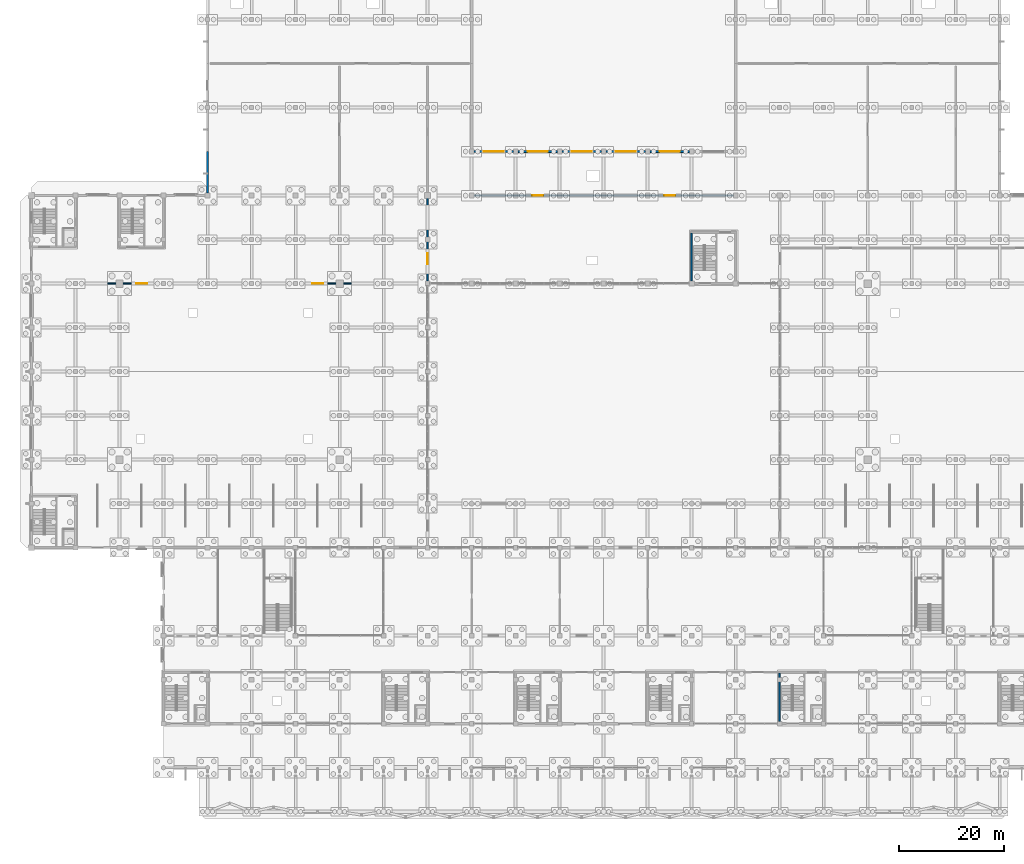
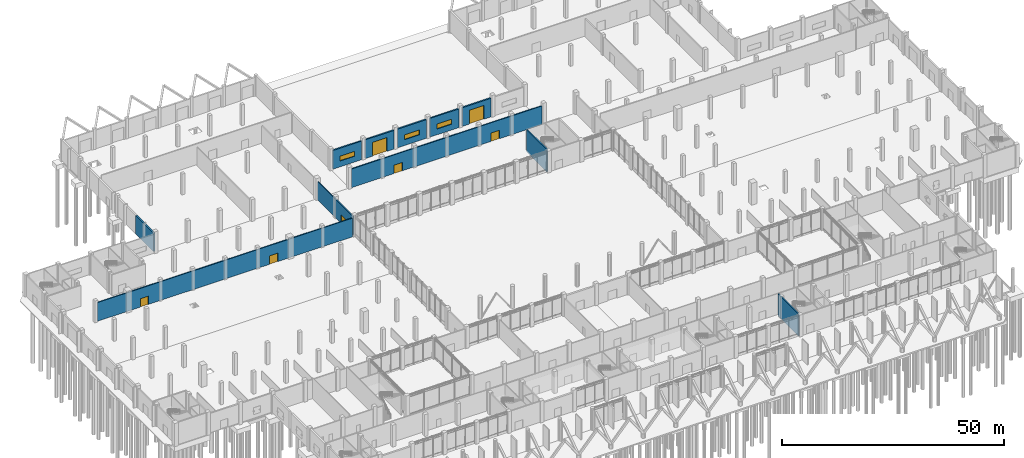
# One storey, part 56 of 72: 11 walls, 7 doors, 3 windows, 10 openings.
"""IFC4 building model written with IfcOpenShell, lengths in metres."""

from ifc_helpers import new_model, si_unit, direction, frame, frame_2d, origin, place, context, subcontext, project, spatial, rectangle, extrude, material, layer, layer_set, type_object, element, fill, save


model = new_model("IFC4")

# Units and contexts
model_context = context("Model", 3, precision=1e-05, world=origin(), true_north=direction((0.0, 1.0)))
body_context = subcontext(model_context, "Body", "Model", "MODEL_VIEW")
ifc_project = project(units=[si_unit("LENGTHUNIT", "METRE"), si_unit("AREAUNIT", "SQUARE_METRE"), si_unit("VOLUMEUNIT", "CUBIC_METRE"), si_unit("PLANEANGLEUNIT", "RADIAN"), si_unit("MASSUNIT", "GRAM", prefix="KILO")], contexts=[model_context])

# Site, building, storey
site_placement = place(None, origin())
site = spatial("IfcSite", under=ifc_project, at=site_placement, CompositionType="ELEMENT")
building_placement = place(site_placement, origin())
building = spatial("IfcBuilding", under=site, at=building_placement, Name="Qawsi Khor Wholesale Market", CompositionType="ELEMENT")
storey_placement = place(building_placement, origin())
storey = spatial("IfcBuildingStorey", under=building, at=storey_placement, Name="L00", CompositionType="ELEMENT", Elevation=0.0)

# Wall, opening, window
ifc_material_1 = material(Name="Concrete C40/50", Category="concrete")
ifc_layer_1 = layer(ifc_material_1, 0.3798828125, Name="Concrete C40/50")
ifc_layer_set_1 = layer_set([ifc_layer_1], Name="Concrete C40/50")
wall_type_1 = type_object("IfcWallType", Name="Auction Pavilion Acoustic Concrete Wall 380", PredefinedType="SOLIDWALL", material=ifc_layer_set_1)
wall_1_placement = place(storey_placement, frame((84.455078125, 117.60009765625, 0.0), z_axis=(0.0, 0.0, 1.0), x_axis=(1.0, 0.0, 0.0)))
wall_1 = element("IfcWall", 1, at=wall_1_placement, inside=storey, type_object=wall_type_1, Name="EW-L00-AUCN-10", PredefinedType="SOLIDWALL", context=body_context, shape_type="SweptSolid", body=[
    extrude(rectangle(XDim=7.489990234375, YDim=0.3798828125, at=frame_2d((3.7451171875, 0.0))), origin(), (0.0, 0.0, 1.0), 5.1298828125),
])
opening_1_placement = place(wall_1_placement, frame((1.844970703125, 0.0, 1.60009765625)))
opening_1 = element("IfcOpeningElement", 2, at=opening_1_placement, cuts=wall_1, Name="Opening W-16", PredefinedType="OPENING", context=body_context, shape_type="SweptSolid", body=[
    extrude(rectangle(XDim=3.800048828125, YDim=1.35009765625, at=frame_2d((1.89990234375, 0.675048828125))), frame((0.0, 0.199951171875, 0.0), z_axis=(0.0, -1.0, 0.0), x_axis=(1.0, 0.0, 0.0)), (0.0, 0.0, 1.0), 0.39990234375),
])
ifc_material_2 = material(Name="Thermally Broken Aluminium & Low-E Glass", Category="aluminium")
window_type = type_object("IfcWindowType", Name="Win W-16 Auction High Clerestory 3800x1350", PartitioningType="SINGLE_PANEL", PredefinedType="WINDOW", material=ifc_material_2)
window_1_placement = place(opening_1_placement, origin())
window_1 = element("IfcWindow", 3, at=window_1_placement, inside=storey, type_object=window_type, Name="Win W-16 Auction High Clerestory 3800x1350 201", OverallHeight=1.35009765625, OverallWidth=3.800048828125, PartitioningType="SINGLE_PANEL", PredefinedType="WINDOW", context=body_context, shape_type="SweptSolid", body=[
    extrude(rectangle(XDim=3.800048828125, YDim=1.35009765625, at=frame_2d((1.89990234375, 0.675048828125))), frame((0.0, 0.030029296875, 0.0), z_axis=(0.0, -1.0, 0.0), x_axis=(1.0, 0.0, 0.0)), (0.0, 0.0, 1.0), 0.06005859375),
])
fill(opening_1, window_1)

# Wall, opening, door
wall_2_placement = place(storey_placement, frame((92.85498046875, 117.60009765625, 0.0), z_axis=(0.0, 0.0, 1.0), x_axis=(1.0, 0.0, 0.0)))
wall_2 = element("IfcWall", 4, at=wall_2_placement, inside=storey, type_object=wall_type_1, Name="EW-L00-AUCN-11", PredefinedType="SOLIDWALL", context=body_context, shape_type="SweptSolid", body=[
    extrude(rectangle(XDim=7.489990234375, YDim=0.3798828125, at=frame_2d((3.7451171875, 0.0))), origin(), (0.0, 0.0, 1.0), 5.1298828125),
])
opening_2_placement = place(wall_2_placement, frame((1.844970703125, 0.0, 0.0)))
opening_2 = element("IfcOpeningElement", 5, at=opening_2_placement, cuts=wall_2, Name="Opening GT-01", PredefinedType="OPENING", context=body_context, shape_type="SweptSolid", body=[
    extrude(rectangle(XDim=3.800048828125, YDim=3.800048828125, at=frame_2d((1.89990234375, 1.89990234375))), frame((0.0, 0.199951171875, 0.0), z_axis=(0.0, -1.0, 0.0), x_axis=(1.0, 0.0, 0.0)), (0.0, 0.0, 1.0), 0.39990234375),
])
ifc_material_3 = material(Name="Powder-Coated Galvanised Steel & Glazing", Category="steel")
door_type_1 = type_object("IfcDoorType", Name="Auction Marshalling Roller Gate 3800x3800", OperationType="NOTDEFINED", PredefinedType="GATE", material=ifc_material_3)
door_1_placement = place(opening_2_placement, origin())
door_1 = element("IfcDoor", 6, at=door_1_placement, inside=storey, type_object=door_type_1, Name="Auction intake gate 11", OperationType="ROLLINGUP", OverallHeight=3.800048828125, OverallWidth=3.800048828125, PredefinedType="GATE", context=body_context, shape_type="SweptSolid", body=[
    extrude(rectangle(XDim=3.800048828125, YDim=3.800048828125, at=frame_2d((1.89990234375, 1.89990234375))), frame((0.0, 0.02490234375, 0.0), z_axis=(0.0, -1.0, 0.0), x_axis=(1.0, 0.0, 0.0)), (0.0, 0.0, 1.0), 0.050048828125),
])
fill(opening_2, door_1)

# Wall, opening, window
wall_3_placement = place(storey_placement, frame((101.2548828125, 117.60009765625, 0.0), z_axis=(0.0, 0.0, 1.0), x_axis=(1.0, 0.0, 0.0)))
wall_3 = element("IfcWall", 7, at=wall_3_placement, inside=storey, type_object=wall_type_1, Name="EW-L00-AUCN-12", PredefinedType="SOLIDWALL", context=body_context, shape_type="SweptSolid", body=[
    extrude(rectangle(XDim=7.490234375, YDim=0.3798828125, at=frame_2d((3.7451171875, 0.0))), origin(), (0.0, 0.0, 1.0), 5.1298828125),
])
opening_3_placement = place(wall_3_placement, frame((1.844970703125, 0.0, 1.60009765625)))
opening_3 = element("IfcOpeningElement", 8, at=opening_3_placement, cuts=wall_3, Name="Opening W-16", PredefinedType="OPENING", context=body_context, shape_type="SweptSolid", body=[
    extrude(rectangle(XDim=3.800048828125, YDim=1.35009765625, at=frame_2d((1.89990234375, 0.675048828125))), frame((0.0, 0.199951171875, 0.0), z_axis=(0.0, -1.0, 0.0), x_axis=(1.0, 0.0, 0.0)), (0.0, 0.0, 1.0), 0.39990234375),
])
window_2_placement = place(opening_3_placement, origin())
window_2 = element("IfcWindow", 9, at=window_2_placement, inside=storey, type_object=window_type, Name="Win W-16 Auction High Clerestory 3800x1350 202", OverallHeight=1.35009765625, OverallWidth=3.800048828125, PartitioningType="SINGLE_PANEL", PredefinedType="WINDOW", context=body_context, shape_type="SweptSolid", body=[
    extrude(rectangle(XDim=3.800048828125, YDim=1.35009765625, at=frame_2d((1.89990234375, 0.675048828125))), frame((0.0, 0.030029296875, 0.0), z_axis=(0.0, -1.0, 0.0), x_axis=(1.0, 0.0, 0.0)), (0.0, 0.0, 1.0), 0.06005859375),
])
fill(opening_3, window_2)

wall_4_placement = place(storey_placement, frame((109.655029296875, 117.60009765625, 0.0), z_axis=(0.0, 0.0, 1.0), x_axis=(1.0, 0.0, 0.0)))
wall_4 = element("IfcWall", 10, at=wall_4_placement, inside=storey, type_object=wall_type_1, Name="EW-L00-AUCN-13", PredefinedType="SOLIDWALL", context=body_context, shape_type="SweptSolid", body=[
    extrude(rectangle(XDim=7.489990234375, YDim=0.3798828125, at=frame_2d((3.7451171875, 0.0))), origin(), (0.0, 0.0, 1.0), 5.1298828125),
])
opening_4_placement = place(wall_4_placement, frame((1.844970703125, 0.0, 1.60009765625)))
opening_4 = element("IfcOpeningElement", 11, at=opening_4_placement, cuts=wall_4, Name="Opening W-16", PredefinedType="OPENING", context=body_context, shape_type="SweptSolid", body=[
    extrude(rectangle(XDim=3.800048828125, YDim=1.35009765625, at=frame_2d((1.89990234375, 0.675048828125))), frame((0.0, 0.199951171875, 0.0), z_axis=(0.0, -1.0, 0.0), x_axis=(1.0, 0.0, 0.0)), (0.0, 0.0, 1.0), 0.39990234375),
])
window_3_placement = place(opening_4_placement, origin())
window_3 = element("IfcWindow", 12, at=window_3_placement, inside=storey, type_object=window_type, Name="Win W-16 Auction High Clerestory 3800x1350 203", OverallHeight=1.35009765625, OverallWidth=3.800048828125, PartitioningType="SINGLE_PANEL", PredefinedType="WINDOW", context=body_context, shape_type="SweptSolid", body=[
    extrude(rectangle(XDim=3.800048828125, YDim=1.35009765625, at=frame_2d((1.89990234375, 0.675048828125))), frame((0.0, 0.030029296875, 0.0), z_axis=(0.0, -1.0, 0.0), x_axis=(1.0, 0.0, 0.0)), (0.0, 0.0, 1.0), 0.06005859375),
])
fill(opening_4, window_3)

# Wall, opening, door
wall_5_placement = place(storey_placement, frame((118.054931640625, 117.60009765625, 0.0), z_axis=(0.0, 0.0, 1.0), x_axis=(1.0, 0.0, 0.0)))
wall_5 = element("IfcWall", 13, at=wall_5_placement, inside=storey, type_object=wall_type_1, Name="EW-L00-AUCN-14", PredefinedType="SOLIDWALL", context=body_context, shape_type="SweptSolid", body=[
    extrude(rectangle(XDim=7.489990234375, YDim=0.3798828125, at=frame_2d((3.7451171875, 0.0))), origin(), (0.0, 0.0, 1.0), 5.1298828125),
])
opening_5_placement = place(wall_5_placement, frame((1.844970703125, 0.0, 0.0)))
opening_5 = element("IfcOpeningElement", 14, at=opening_5_placement, cuts=wall_5, Name="Opening GT-01", PredefinedType="OPENING", context=body_context, shape_type="SweptSolid", body=[
    extrude(rectangle(XDim=3.800048828125, YDim=3.800048828125, at=frame_2d((1.89990234375, 1.89990234375))), frame((0.0, 0.199951171875, 0.0), z_axis=(0.0, -1.0, 0.0), x_axis=(1.0, 0.0, 0.0)), (0.0, 0.0, 1.0), 0.39990234375),
])
door_2_placement = place(opening_5_placement, origin())
door_2 = element("IfcDoor", 15, at=door_2_placement, inside=storey, type_object=door_type_1, Name="Auction intake gate 14", OperationType="ROLLINGUP", OverallHeight=3.800048828125, OverallWidth=3.800048828125, PredefinedType="GATE", context=body_context, shape_type="SweptSolid", body=[
    extrude(rectangle(XDim=3.800048828125, YDim=3.800048828125, at=frame_2d((1.89990234375, 1.89990234375))), frame((0.0, 0.02490234375, 0.0), z_axis=(0.0, -1.0, 0.0), x_axis=(1.0, 0.0, 0.0)), (0.0, 0.0, 1.0), 0.050048828125),
])
fill(opening_5, door_2)

# Walls
ifc_layer_2 = layer(ifc_material_1, 0.449951171875, Name="Concrete C40/50")
ifc_layer_set_2 = layer_set([ifc_layer_2], Name="Concrete C40/50")
wall_type_2 = type_object("IfcWallType", Name="Cold-Store Thermal Sandwich Concrete Wall 450", PredefinedType="SOLIDWALL", material=ifc_layer_set_2)
wall_6_placement = place(storey_placement, frame((33.60009765625, 109.655029296875, 0.0), z_axis=(0.0, 0.0, 1.0), x_axis=(0.0, 1.0, 0.0)))
element("IfcWall", 16, at=wall_6_placement, inside=storey, type_object=wall_type_2, Name="EW-L00-NWC-OUT-13", PredefinedType="SOLIDWALL", context=body_context, shape_type="SweptSolid", body=[
    extrude(rectangle(XDim=7.945068359375, YDim=0.449951171875, at=frame_2d((3.97265625, 0.0))), origin(), (0.0, 0.0, 1.0), 5.06005859375),
])
ifc_layer_3 = layer(ifc_material_1, 0.300048828125, Name="Concrete C40/50")
ifc_layer_set_3 = layer_set([ifc_layer_3], Name="Concrete C40/50")
wall_type_3 = type_object("IfcWallType", Name="Core Shear Wall RC 300 C40/50", PredefinedType="SHEAR", material=ifc_layer_set_3)
wall_7_placement = place(storey_placement, frame((142.800048828125, 8.85498046875, -0.360107421875), z_axis=(0.0, 0.0, 1.0), x_axis=(0.0, 1.0, 0.0)))
element("IfcWall", 17, at=wall_7_placement, inside=storey, type_object=wall_type_3, Name="Core C05 west shear wall L00", PredefinedType="SHEAR", context=body_context, shape_type="SweptSolid", body=[
    extrude(rectangle(XDim=9.195068359375, YDim=0.300048828125, at=frame_2d((4.59765625, 0.0))), origin(), (0.0, 0.0, 1.0), 6.080078125),
])
wall_8_placement = place(storey_placement, frame((126.0, 92.905029296875, -0.360107421875), z_axis=(0.0, 0.0, 1.0), x_axis=(0.0, 1.0, 0.0)))
element("IfcWall", 18, at=wall_8_placement, inside=storey, type_object=wall_type_3, Name="Core C10 west shear wall L00", PredefinedType="SHEAR", context=body_context, shape_type="SweptSolid", body=[
    extrude(rectangle(XDim=9.14501953125, YDim=0.300048828125, at=frame_2d((4.572509765625, 0.0))), origin(), (0.0, 0.0, 1.0), 6.080078125),
])

# Wall, openings, doors
ifc_material_4 = material(Name="Concrete Blockwork & Plaster", Category="masonry")
ifc_layer_4 = layer(ifc_material_4, 0.25, Name="Concrete Blockwork & Plaster")
ifc_layer_set_4 = layer_set([ifc_layer_4], Name="Concrete Blockwork & Plaster")
wall_type_4 = type_object("IfcWallType", Name="Fire Compartment Masonry Wall 250", PredefinedType="SOLIDWALL", material=ifc_layer_set_4)
wall_9_placement = place(storey_placement, frame((8.800048828125, 92.39990234375, 0.0), z_axis=(0.0, 0.0, 1.0), x_axis=(1.0, 0.0, 0.0)))
wall_9 = element("IfcWall", 19, at=wall_9_placement, inside=storey, type_object=wall_type_4, Name="PW-L00-007", PredefinedType="SOLIDWALL", context=body_context, shape_type="SweptSolid", body=[
    extrude(rectangle(XDim=66.199951171875, YDim=0.25, at=frame_2d((33.10009765625, 0.0))), origin(), (0.0, 0.0, 1.0), 5.1298828125),
])
opening_6_placement = place(wall_9_placement, frame((11.14990234375, 0.0, 0.0)))
opening_6 = element("IfcOpeningElement", 20, at=opening_6_placement, cuts=wall_9, Name="Opening ID-03", PredefinedType="OPENING", context=body_context, shape_type="SweptSolid", body=[
    extrude(rectangle(XDim=2.10009765625, YDim=2.300048828125, at=frame_2d((1.050048828125, 1.14990234375))), frame((0.0, 0.135009765625, 0.0), z_axis=(0.0, -1.0, 0.0), x_axis=(1.0, 0.0, 0.0)), (0.0, 0.0, 1.0), 0.27001953125),
])
opening_7_placement = place(wall_9_placement, frame((44.75, 0.0, 0.0)))
opening_7 = element("IfcOpeningElement", 21, at=opening_7_placement, cuts=wall_9, Name="Opening ID-03", PredefinedType="OPENING", context=body_context, shape_type="SweptSolid", body=[
    extrude(rectangle(XDim=2.10009765625, YDim=2.300048828125, at=frame_2d((1.050048828125, 1.14990234375))), frame((0.0, 0.135009765625, 0.0), z_axis=(0.0, -1.0, 0.0), x_axis=(1.0, 0.0, 0.0)), (0.0, 0.0, 1.0), 0.27001953125),
])
ifc_material_5 = material(Name="Glazed Steel Fire Door", Category="steel")
door_type_2 = type_object("IfcDoorType", Name="Hall Concourse Double Door 2100x2300 FD60S", OperationType="NOTDEFINED", PredefinedType="DOOR", material=ifc_material_5)
door_3_placement = place(opening_6_placement, origin())
door_3 = element("IfcDoor", 22, at=door_3_placement, inside=storey, type_object=door_type_2, Name="Hall Concourse Double Door 2100x2300 FD60S L00-013", OperationType="DOUBLE_DOOR_SINGLE_SWING", OverallHeight=2.300048828125, OverallWidth=2.10009765625, PredefinedType="DOOR", context=body_context, shape_type="SweptSolid", body=[
    extrude(rectangle(XDim=2.10009765625, YDim=2.300048828125, at=frame_2d((1.050048828125, 1.14990234375))), frame((0.0, 0.02490234375, 0.0), z_axis=(0.0, -1.0, 0.0), x_axis=(1.0, 0.0, 0.0)), (0.0, 0.0, 1.0), 0.050048828125),
])
fill(opening_6, door_3)
door_4_placement = place(opening_7_placement, origin())
door_4 = element("IfcDoor", 23, at=door_4_placement, inside=storey, type_object=door_type_2, Name="Hall Concourse Double Door 2100x2300 FD60S L00-014", OperationType="DOUBLE_DOOR_SINGLE_SWING", OverallHeight=2.300048828125, OverallWidth=2.10009765625, PredefinedType="DOOR", context=body_context, shape_type="SweptSolid", body=[
    extrude(rectangle(XDim=2.10009765625, YDim=2.300048828125, at=frame_2d((1.050048828125, 1.14990234375))), frame((0.0, 0.02490234375, 0.0), z_axis=(0.0, -1.0, 0.0), x_axis=(1.0, 0.0, 0.0)), (0.0, 0.0, 1.0), 0.050048828125),
])
fill(opening_7, door_4)

wall_10_placement = place(storey_placement, frame((84.5, 109.199951171875, 0.0), z_axis=(0.0, 0.0, 1.0), x_axis=(1.0, 0.0, 0.0)))
wall_10 = element("IfcWall", 24, at=wall_10_placement, inside=storey, type_object=wall_type_4, Name="PW-L00-023", PredefinedType="SOLIDWALL", context=body_context, shape_type="SweptSolid", body=[
    extrude(rectangle(XDim=49.39990234375, YDim=0.25, at=frame_2d((24.699951171875, 0.0))), origin(), (0.0, 0.0, 1.0), 5.1298828125),
])
opening_8_placement = place(wall_10_placement, frame((11.050048828125, 0.0, 0.0)))
opening_8 = element("IfcOpeningElement", 25, at=opening_8_placement, cuts=wall_10, Name="Opening ID-03", PredefinedType="OPENING", context=body_context, shape_type="SweptSolid", body=[
    extrude(rectangle(XDim=2.10009765625, YDim=2.300048828125, at=frame_2d((1.050048828125, 1.14990234375))), frame((0.0, 0.135009765625, 0.0), z_axis=(0.0, -1.0, 0.0), x_axis=(1.0, 0.0, 0.0)), (0.0, 0.0, 1.0), 0.27001953125),
])
opening_9_placement = place(wall_10_placement, frame((36.25, 0.0, 0.0)))
opening_9 = element("IfcOpeningElement", 26, at=opening_9_placement, cuts=wall_10, Name="Opening ID-03", PredefinedType="OPENING", context=body_context, shape_type="SweptSolid", body=[
    extrude(rectangle(XDim=2.10009765625, YDim=2.300048828125, at=frame_2d((1.050048828125, 1.14990234375))), frame((0.0, 0.135009765625, 0.0), z_axis=(0.0, -1.0, 0.0), x_axis=(1.0, 0.0, 0.0)), (0.0, 0.0, 1.0), 0.27001953125),
])
door_5_placement = place(opening_8_placement, origin())
door_5 = element("IfcDoor", 27, at=door_5_placement, inside=storey, type_object=door_type_2, Name="Hall Concourse Double Door 2100x2300 FD60S L00-017", OperationType="DOUBLE_DOOR_SINGLE_SWING", OverallHeight=2.300048828125, OverallWidth=2.10009765625, PredefinedType="DOOR", context=body_context, shape_type="SweptSolid", body=[
    extrude(rectangle(XDim=2.10009765625, YDim=2.300048828125, at=frame_2d((1.050048828125, 1.14990234375))), frame((0.0, 0.02490234375, 0.0), z_axis=(0.0, -1.0, 0.0), x_axis=(1.0, 0.0, 0.0)), (0.0, 0.0, 1.0), 0.050048828125),
])
fill(opening_8, door_5)
door_6_placement = place(opening_9_placement, origin())
door_6 = element("IfcDoor", 28, at=door_6_placement, inside=storey, type_object=door_type_2, Name="Hall Concourse Double Door 2100x2300 FD60S L00-018", OperationType="DOUBLE_DOOR_SINGLE_SWING", OverallHeight=2.300048828125, OverallWidth=2.10009765625, PredefinedType="DOOR", context=body_context, shape_type="SweptSolid", body=[
    extrude(rectangle(XDim=2.10009765625, YDim=2.300048828125, at=frame_2d((1.050048828125, 1.14990234375))), frame((0.0, 0.02490234375, 0.0), z_axis=(0.0, -1.0, 0.0), x_axis=(1.0, 0.0, 0.0)), (0.0, 0.0, 1.0), 0.050048828125),
])
fill(opening_9, door_6)

# Wall, opening, door
wall_11_placement = place(storey_placement, frame((75.60009765625, 92.89990234375, 0.0), z_axis=(0.0, 0.0, 1.0), x_axis=(0.0, 1.0, 0.0)))
wall_11 = element("IfcWall", 29, at=wall_11_placement, inside=storey, type_object=wall_type_4, Name="PW-L00-024", PredefinedType="SOLIDWALL", context=body_context, shape_type="SweptSolid", body=[
    extrude(rectangle(XDim=15.800048828125, YDim=0.25, at=frame_2d((7.89990234375, 0.0))), origin(), (0.0, 0.0, 1.0), 5.070068359375),
])
opening_10_placement = place(wall_11_placement, frame((3.14990234375, 0.0, 0.0)))
opening_10 = element("IfcOpeningElement", 30, at=opening_10_placement, cuts=wall_11, Name="Opening ID-03", PredefinedType="OPENING", context=body_context, shape_type="SweptSolid", body=[
    extrude(rectangle(XDim=2.10009765625, YDim=2.300048828125, at=frame_2d((1.050048828125, 1.14990234375))), frame((0.0, 0.135009765625, 0.0), z_axis=(0.0, -1.0, 0.0), x_axis=(1.0, 0.0, 0.0)), (0.0, 0.0, 1.0), 0.27001953125),
])
door_7_placement = place(opening_10_placement, origin())
door_7 = element("IfcDoor", 31, at=door_7_placement, inside=storey, type_object=door_type_2, Name="Hall Concourse Double Door 2100x2300 FD60S L00-019", OperationType="DOUBLE_DOOR_SINGLE_SWING", OverallHeight=2.300048828125, OverallWidth=2.10009765625, PredefinedType="DOOR", context=body_context, shape_type="SweptSolid", body=[
    extrude(rectangle(XDim=2.10009765625, YDim=2.300048828125, at=frame_2d((1.050048828125, 1.14990234375))), frame((0.0, 0.02490234375, 0.0), z_axis=(0.0, -1.0, 0.0), x_axis=(1.0, 0.0, 0.0)), (0.0, 0.0, 1.0), 0.050048828125),
])
fill(opening_10, door_7)

save(model, "model.ifc")
